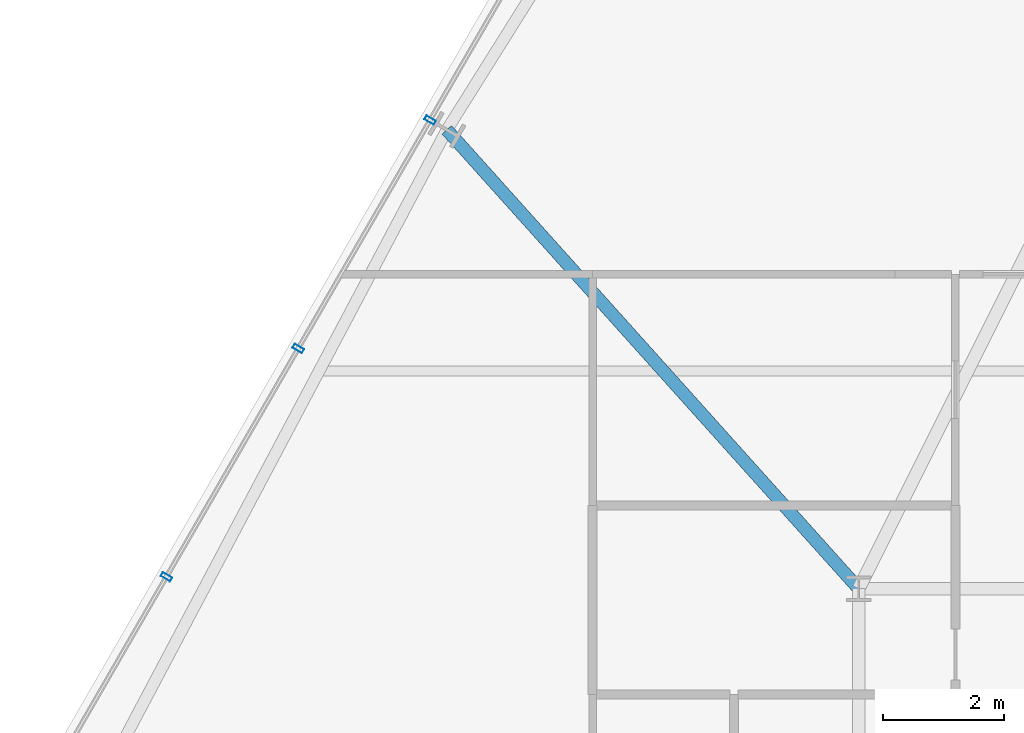
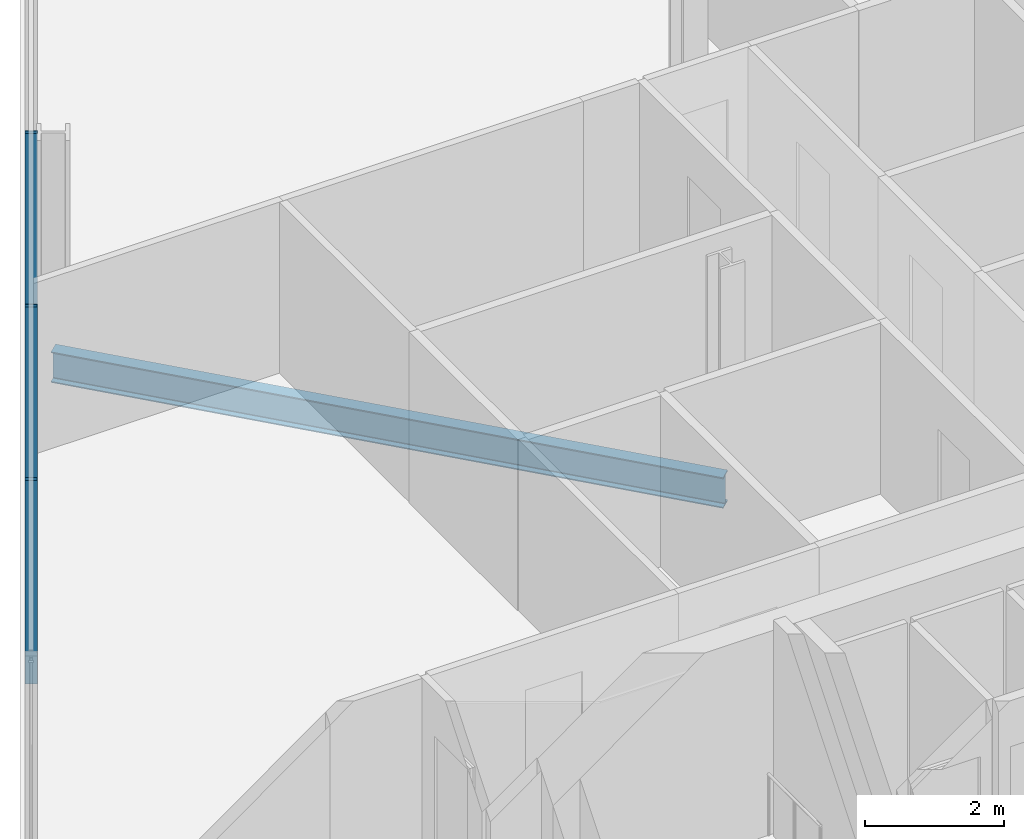
# One storey, part 11 of 32: 3 members, 1 beam, 1 element without a shape of its own.
"""IFC4 building model written with IfcOpenShell, lengths in metres."""

from ifc_helpers import new_model, si_unit, direction, frame, origin, origin_2d, place, context, subcontext, project, spatial, hollow_rectangle, i_section, extrude, material, layer, layer_set, material_profile, profile_set, type_object, element, aggregate, save


model = new_model("IFC4")

# Units and contexts
model_context = context("Model", 3, precision=1e-05, world=origin(), true_north=direction((0.0, 1.0)))
body_context = subcontext(model_context, "Body", "Model", "MODEL_VIEW")
ifc_project = project(units=[si_unit("LENGTHUNIT", "METRE"), si_unit("AREAUNIT", "SQUARE_METRE"), si_unit("VOLUMEUNIT", "CUBIC_METRE"), si_unit("PLANEANGLEUNIT", "RADIAN"), si_unit("MASSUNIT", "GRAM", prefix="KILO")], contexts=[model_context])

# Site, building, storey
site_placement = place(None, origin())
site = spatial("IfcSite", under=ifc_project, at=site_placement, CompositionType="ELEMENT")
building_placement = place(site_placement, origin())
building = spatial("IfcBuilding", under=site, at=building_placement, Name="Ndaravel Arena Tower", CompositionType="ELEMENT")
storey_placement = place(building_placement, frame((0.0, 0.0, 130.800048828125)))
storey = spatial("IfcBuildingStorey", under=building, at=storey_placement, Name="L30", CompositionType="ELEMENT", Elevation=130.800048828125)

# Beam
ifc_material_1 = material(Name="Steel S355", Category="steel")
ifc_material_profile_1 = material_profile(ifc_material_1, i_section(OverallWidth=0.210693359375, OverallDepth=0.53955078125, WebThickness=0.01171875, FlangeThickness=0.018798828125, FilletRadius=0.0126953125, at=origin_2d()), Name="UB 533x210x109")
ifc_profile_set_1 = profile_set([ifc_material_profile_1], Name="Steel S355")
beam_type = type_object("IfcBeamType", Name="BM-GIRD-UB533", PredefinedType="BEAM", material=ifc_profile_set_1)
beam_placement = place(storey_placement, frame((27.38818359375, 30.78857421875, -0.48974609375), z_axis=(0.667989304353, -0.744170873704, 0.0), x_axis=(0.744170873704, 0.667989304353, 0.0)))
element("IfcBeam", 1, at=beam_placement, inside=storey, type_object=beam_type, Name="L30 Radial Floor Girder FG-19", PredefinedType="BEAM", context=body_context, shape_type="SweptSolid", body=[
    extrude(i_section(OverallWidth=0.210693359375, OverallDepth=0.53955078125, WebThickness=0.01171875, FlangeThickness=0.018798828125, FilletRadius=0.0126953125, at=origin_2d()), origin(), (0.0, 0.0, 1.0), 10.197509765625),
])

# Curtain wall, members
ifc_material_2 = material(Name="Aluminium", Category="aluminium")
ifc_layer = layer(ifc_material_2, 0.179931640625)
ifc_layer_set = layer_set([ifc_layer], Name="Aluminium")
curtain_wall_type = type_object("IfcCurtainWallType", Name="CW-SYS-03", PredefinedType="NOTDEFINED", material=ifc_layer_set)
curtain_wall_placement = place(storey_placement, origin())
curtain_wall = element("IfcCurtainWall", 2, at=curtain_wall_placement, inside=storey, type_object=curtain_wall_type, Name="L30 Faceted Crystal Curtain Wall CW-L30-E05", PredefinedType="NOTDEFINED")
ifc_material_3 = material(Name="Aluminium", Category="aluminium")
ifc_material_profile_2 = material_profile(ifc_material_3, hollow_rectangle(XDim=0.074951171875, YDim=0.179931640625, WallThickness=0.00390625, at=origin_2d()), Name="CW MULLION 75x180x4")
ifc_profile_set_2 = profile_set([ifc_material_profile_2], Name="Aluminium")
member_type = type_object("IfcMemberType", Name="MEM-CW-MUL180", PredefinedType="MULLION", material=ifc_profile_set_2)
member_1_placement = place(storey_placement, frame((27.111083984375, 30.948486328125, 0.0), z_axis=(0.0, 0.0, 1.0), x_axis=(-0.5, -0.866025403784, 0.0)))
member_1 = element("IfcMember", 3, at=member_1_placement, type_object=member_type, Name="CW-L30-E05 Mullion 04", PredefinedType="MULLION", context=body_context, shape_type="SweptSolid", body=[
    extrude(hollow_rectangle(XDim=0.074951171875, YDim=0.179931640625, WallThickness=0.00390625, at=origin_2d()), origin(), (0.0, 0.0, 1.0), 3.579833984375),
])
member_2_placement = place(storey_placement, frame((24.930419921875, 27.171630859375, 0.0), z_axis=(0.0, 0.0, 1.0), x_axis=(-0.5, -0.866025403784, 0.0)))
member_2 = element("IfcMember", 4, at=member_2_placement, type_object=member_type, Name="CW-L30-E05 Mullion 05", PredefinedType="MULLION", context=body_context, shape_type="SweptSolid", body=[
    extrude(hollow_rectangle(XDim=0.074951171875, YDim=0.179931640625, WallThickness=0.00390625, at=origin_2d()), origin(), (0.0, 0.0, 1.0), 3.579833984375),
])
member_3_placement = place(storey_placement, frame((22.75, 23.39501953125, 0.0), z_axis=(0.0, 0.0, 1.0), x_axis=(-0.5, -0.866025403784, 0.0)))
member_3 = element("IfcMember", 5, at=member_3_placement, type_object=member_type, Name="CW-L30-E05 Mullion 06", PredefinedType="MULLION", context=body_context, shape_type="SweptSolid", body=[
    extrude(hollow_rectangle(XDim=0.074951171875, YDim=0.179931640625, WallThickness=0.00390625, at=origin_2d()), origin(), (0.0, 0.0, 1.0), 3.579833984375),
])
aggregate(curtain_wall, [member_1, member_2, member_3])

save(model, "model.ifc")
